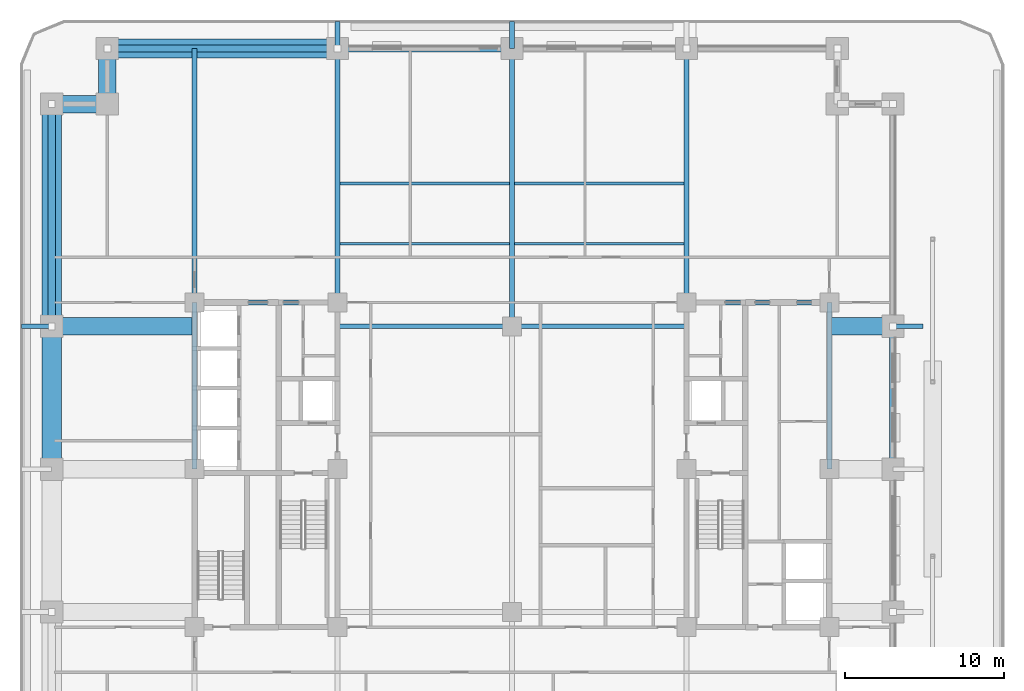
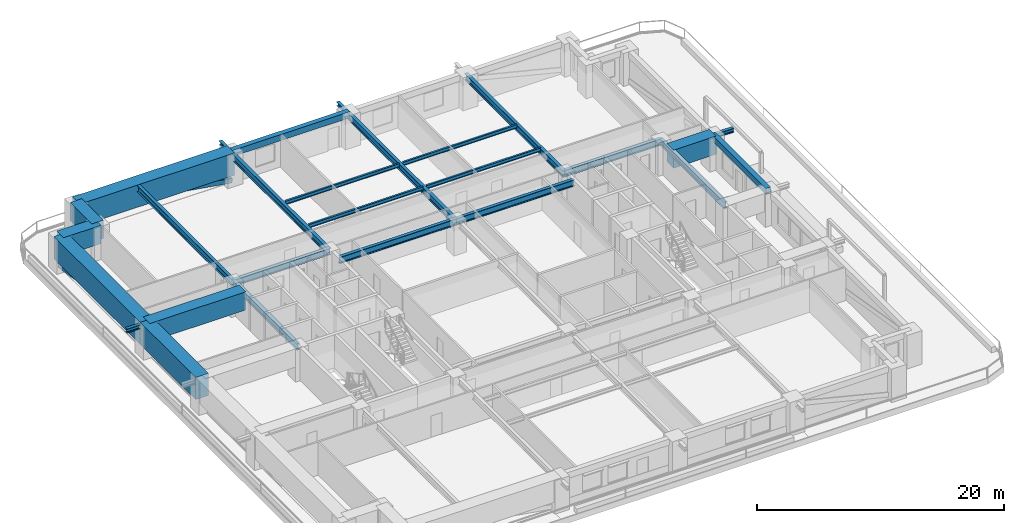
# One storey, part 3 of 18: 27 beams, 2 members.
"""IFC4 building model written with IfcOpenShell, lengths in metres."""

from ifc_helpers import new_model, si_unit, direction, frame, origin, origin_2d, place, context, subcontext, project, spatial, rectangle, hollow_rectangle, i_section, extrude, material, material_profile, profile_set, type_object, element, save


model = new_model("IFC4")

# Units and contexts
model_context = context("Model", 3, precision=1e-05, world=origin(), true_north=direction((0.0, 1.0)))
body_context = subcontext(model_context, "Body", "Model", "MODEL_VIEW")
ifc_project = project(units=[si_unit("LENGTHUNIT", "METRE"), si_unit("AREAUNIT", "SQUARE_METRE"), si_unit("VOLUMEUNIT", "CUBIC_METRE"), si_unit("PLANEANGLEUNIT", "RADIAN"), si_unit("MASSUNIT", "GRAM", prefix="KILO")], contexts=[model_context])

# Site, building, storey
site_placement = place(None, origin())
site = spatial("IfcSite", under=ifc_project, at=site_placement, CompositionType="ELEMENT")
building_placement = place(site_placement, origin())
building = spatial("IfcBuilding", under=site, at=building_placement, Name="Zulmaris Gate Convention Tower", CompositionType="ELEMENT")
storey_placement = place(building_placement, frame((0.0, 0.0, 57.18994140625)))
storey = spatial("IfcBuildingStorey", under=building, at=storey_placement, Name="L13", CompositionType="ELEMENT", Elevation=57.18994140625)

# Beams
ifc_material_1 = material(Name="Steel S355", Category="steel")
ifc_material_profile_1 = material_profile(ifc_material_1, i_section(OverallWidth=0.300048828125, OverallDepth=0.39990234375, WebThickness=0.013427734375, FlangeThickness=0.02392578125, FilletRadius=0.027099609375, at=origin_2d()), Name="HEB 400")
ifc_profile_set_1 = profile_set([ifc_material_profile_1], Name="Steel S355")
beam_type_1 = type_object("IfcBeamType", Name="BM-HEB400", PredefinedType="BEAM", material=ifc_profile_set_1)
for number, where, z_axis, x_axis, name in (
    (1, (-11.0, 26.5, 2.93017578125), (0.0, 1.0, 0.0), (-1.0, 0.0, 0.0), "L13 Beam TBRK-L13-N--11"),
    (2, (0.0, 26.5, 2.93017578125), (0.0, 1.0, 0.0), (-1.0, 0.0, 0.0), "L13 Beam TBRK-L13-N-+0"),
):
    element("IfcBeam", number, at=place(storey_placement, frame(where, z_axis=z_axis, x_axis=x_axis)), inside=storey, type_object=beam_type_1, Name=name, PredefinedType="BEAM", context=body_context, shape_type="SweptSolid", body=[
        extrude(i_section(OverallWidth=0.300048828125, OverallDepth=0.39990234375, WebThickness=0.013427734375, FlangeThickness=0.02392578125, FilletRadius=0.027099609375, at=origin_2d()), origin(), (0.0, 0.0, 1.0), 1.699951171875),
    ])
for number, where, z_axis, x_axis, name in (
    (3, (-30.89990234375, 9.0, 2.93017578125), (1.0, 0.0, 0.0), (0.0, 1.0, 0.0), "L13 Beam TBRK-L13-W-+9"),
    (4, (24.0, 9.0, 2.93017578125), (1.0, 0.0, 0.0), (0.0, 1.0, 0.0), "L13 Beam TBRK-L13-E-+9"),
):
    element("IfcBeam", number, at=place(storey_placement, frame(where, z_axis=z_axis, x_axis=x_axis)), inside=storey, type_object=beam_type_1, Name=name, PredefinedType="BEAM", context=body_context, shape_type="SweptSolid", body=[
        extrude(i_section(OverallWidth=0.300048828125, OverallDepth=0.39990234375, WebThickness=0.013427734375, FlangeThickness=0.02392578125, FilletRadius=0.027099609375, at=origin_2d()), origin(), (0.0, 0.0, 1.0), 1.89990234375),
    ])
ifc_material_profile_2 = material_profile(ifc_material_1, i_section(OverallWidth=0.300048828125, OverallDepth=0.64990234375, WebThickness=0.01611328125, FlangeThickness=0.031005859375, FilletRadius=0.027099609375, at=origin_2d()), Name="HEB 650")
ifc_profile_set_2 = profile_set([ifc_material_profile_2], Name="Steel S355")
beam_type_2 = type_object("IfcBeamType", Name="BM-HEB650", PredefinedType="BEAM", material=ifc_profile_set_2)
for number, where, z_axis, x_axis, name in (
    (5, (-11.0, 9.0, 2.943115234375), (1.0, 0.0, 0.0), (0.0, 1.0, 0.0), "L13 Beam BM-L13-G03"),
    (6, (0.0, 9.0, 2.943115234375), (1.0, 0.0, 0.0), (0.0, 1.0, 0.0), "L13 Beam BM-L13-G04"),
):
    element("IfcBeam", number, at=place(storey_placement, frame(where, z_axis=z_axis, x_axis=x_axis)), inside=storey, type_object=beam_type_2, Name=name, PredefinedType="BEAM", context=body_context, shape_type="SweptSolid", body=[
        extrude(i_section(OverallWidth=0.300048828125, OverallDepth=0.64990234375, WebThickness=0.01611328125, FlangeThickness=0.031005859375, FilletRadius=0.027099609375, at=origin_2d()), origin(), (0.0, 0.0, 1.0), 11.0),
    ])
beam_1_placement = place(storey_placement, frame((0.0, 9.0, 2.818115234375), z_axis=(0.0, 1.0, 0.0), x_axis=(-1.0, 0.0, 0.0)))
element("IfcBeam", 7, at=beam_1_placement, inside=storey, type_object=beam_type_2, Name="L13 Beam BM-L13-G07", PredefinedType="BEAM", context=body_context, shape_type="SweptSolid", body=[
    extrude(i_section(OverallWidth=0.300048828125, OverallDepth=0.64990234375, WebThickness=0.01611328125, FlangeThickness=0.031005859375, FilletRadius=0.027099609375, at=origin_2d()), origin(), (0.0, 0.0, 1.0), 17.5),
])
for number, where, z_axis, x_axis, name in (
    (8, (-11.0, 10.5, 2.818115234375), (0.0, 1.0, 0.0), (-1.0, 0.0, 0.0), "L13 Beam BM-L13-G09"),
    (9, (11.0, 10.5, 2.818115234375), (0.0, 1.0, 0.0), (-1.0, 0.0, 0.0), "L13 Beam BM-L13-G11"),
    (10, (-20.0, 10.5, 2.943115234375), (0.0, 1.0, 0.0), (-1.0, 0.0, 0.0), "L13 Beam BM-L13-G13"),
):
    element("IfcBeam", number, at=place(storey_placement, frame(where, z_axis=z_axis, x_axis=x_axis)), inside=storey, type_object=beam_type_2, Name=name, PredefinedType="BEAM", context=body_context, shape_type="SweptSolid", body=[
        extrude(i_section(OverallWidth=0.300048828125, OverallDepth=0.64990234375, WebThickness=0.01611328125, FlangeThickness=0.031005859375, FilletRadius=0.027099609375, at=origin_2d()), origin(), (0.0, 0.0, 1.0), 16.0),
    ])
for number, where, z_axis, x_axis, name in (
    (11, (-20.0, 10.5, 2.943115234375), (1.0, 0.0, 0.0), (0.0, 1.0, 0.0), "L13 Beam BM-L13-G23"),
    (12, (11.0, 10.5, 2.943115234375), (1.0, 0.0, 0.0), (0.0, 1.0, 0.0), "L13 Beam BM-L13-G25"),
):
    element("IfcBeam", number, at=place(storey_placement, frame(where, z_axis=z_axis, x_axis=x_axis)), inside=storey, type_object=beam_type_2, Name=name, PredefinedType="BEAM", context=body_context, shape_type="SweptSolid", body=[
        extrude(i_section(OverallWidth=0.300048828125, OverallDepth=0.64990234375, WebThickness=0.01611328125, FlangeThickness=0.031005859375, FilletRadius=0.027099609375, at=origin_2d()), origin(), (0.0, 0.0, 1.0), 9.0),
    ])
for number, where, z_axis, x_axis, name in (
    (13, (-20.0, 0.0, 2.943115234375), (0.0, 1.0, 0.0), (-1.0, 0.0, 0.0), "L13 Beam BM-L13-G27"),
    (14, (20.0, 0.0, 2.943115234375), (0.0, 1.0, 0.0), (-1.0, 0.0, 0.0), "L13 Beam BM-L13-G29"),
):
    element("IfcBeam", number, at=place(storey_placement, frame(where, z_axis=z_axis, x_axis=x_axis)), inside=storey, type_object=beam_type_2, Name=name, PredefinedType="BEAM", context=body_context, shape_type="SweptSolid", body=[
        extrude(i_section(OverallWidth=0.300048828125, OverallDepth=0.64990234375, WebThickness=0.01611328125, FlangeThickness=0.031005859375, FilletRadius=0.027099609375, at=origin_2d()), origin(), (0.0, 0.0, 1.0), 10.5),
    ])
ifc_material_2 = material(Name="Precast concrete C50/60", Category="concrete")
ifc_material_profile_3 = material_profile(ifc_material_2, rectangle(XDim=0.449951171875, YDim=0.60009765625, at=origin_2d()), Name="RC SPANDREL 450x600")
ifc_profile_set_3 = profile_set([ifc_material_profile_3], Name="Precast concrete C50/60")
beam_type_3 = type_object("IfcBeamType", Name="BM-SP450x600", PredefinedType="SPANDREL", material=ifc_profile_set_3)
beam_2_placement = place(storey_placement, frame((24.0, 0.0, 2.969970703125), z_axis=(0.0, 1.0, 0.0), x_axis=(-1.0, 0.0, 0.0)))
element("IfcBeam", 15, at=beam_2_placement, inside=storey, type_object=beam_type_3, Name="L13 Spandrel SP-L13-09", PredefinedType="SPANDREL", context=body_context, shape_type="SweptSolid", body=[
    extrude(rectangle(XDim=0.449951171875, YDim=0.60009765625, at=origin_2d()), origin(), (0.0, 0.0, 1.0), 9.0),
])
beam_3_placement = place(storey_placement, frame((0.0, 26.5, 2.969970703125), z_axis=(-1.0, 0.0, 0.0), x_axis=(0.0, -1.0, 0.0)))
element("IfcBeam", 16, at=beam_3_placement, inside=storey, type_object=beam_type_3, Name="L13 Spandrel SP-L13-15", PredefinedType="SPANDREL", context=body_context, shape_type="SweptSolid", body=[
    extrude(rectangle(XDim=0.449951171875, YDim=0.60009765625, at=origin_2d()), origin(), (0.0, 0.0, 1.0), 11.0),
])
ifc_material_3 = material(Name="Concrete C80/95", Category="concrete")
ifc_material_profile_4 = material_profile(ifc_material_3, rectangle(XDim=1.10009765625, YDim=1.800048828125, at=origin_2d()), Name="RC TRANSFER 1100x1800")
ifc_profile_set_4 = profile_set([ifc_material_profile_4], Name="Concrete C80/95")
beam_type_4 = type_object("IfcBeamType", Name="BM-XFER1800", PredefinedType="BEAM", material=ifc_profile_set_4)
for number, where, z_axis, x_axis, name in (
    (17, (-25.5, 26.5, 2.3701171875), (0.0, -1.0, 0.0), (1.0, 0.0, 0.0), "L13 Beam SP-L13-17"),
    (18, (-25.5, 23.0, 2.3701171875), (-1.0, 0.0, 0.0), (0.0, -1.0, 0.0), "L13 Beam SP-L13-18"),
):
    element("IfcBeam", number, at=place(storey_placement, frame(where, z_axis=z_axis, x_axis=x_axis)), inside=storey, type_object=beam_type_4, Name=name, PredefinedType="BEAM", context=body_context, shape_type="SweptSolid", body=[
        extrude(rectangle(XDim=1.10009765625, YDim=1.800048828125, at=origin_2d()), origin(), (0.0, 0.0, 1.0), 3.5),
    ])
beam_4_placement = place(storey_placement, frame((-29.0, 9.0, 2.3701171875), z_axis=(1.0, 0.0, 0.0), x_axis=(0.0, 1.0, 0.0)))
element("IfcBeam", 19, at=beam_4_placement, inside=storey, type_object=beam_type_4, Name="L13 Beam BM-L13-G18", PredefinedType="BEAM", context=body_context, shape_type="SweptSolid", body=[
    extrude(rectangle(XDim=1.10009765625, YDim=1.800048828125, at=origin_2d()), origin(), (0.0, 0.0, 1.0), 9.0),
])
beam_5_placement = place(storey_placement, frame((20.0, 9.0, 2.3701171875), z_axis=(1.0, 0.0, 0.0), x_axis=(0.0, 1.0, 0.0)))
element("IfcBeam", 20, at=beam_5_placement, inside=storey, type_object=beam_type_4, Name="L13 Beam BM-L13-G21", PredefinedType="BEAM", context=body_context, shape_type="SweptSolid", body=[
    extrude(rectangle(XDim=1.10009765625, YDim=1.800048828125, at=origin_2d()), origin(), (0.0, 0.0, 1.0), 4.0),
])
ifc_material_profile_5 = material_profile(ifc_material_3, rectangle(XDim=1.199951171875, YDim=2.199951171875, at=origin_2d()), Name="RC TRANSFER 1200x2200")
ifc_profile_set_5 = profile_set([ifc_material_profile_5], Name="Concrete C80/95")
beam_type_5 = type_object("IfcBeamType", Name="BM-XFER2200", PredefinedType="BEAM", material=ifc_profile_set_5)
beam_6_placement = place(storey_placement, frame((-11.0, 26.5, 2.170166015625), z_axis=(-1.0, 0.0, 0.0), x_axis=(0.0, -1.0, 0.0)))
element("IfcBeam", 21, at=beam_6_placement, inside=storey, type_object=beam_type_5, Name="L13 Beam SP-L13-16", PredefinedType="BEAM", context=body_context, shape_type="SweptSolid", body=[
    extrude(rectangle(XDim=1.199951171875, YDim=2.199951171875, at=origin_2d()), origin(), (0.0, 0.0, 1.0), 14.5),
])
beam_7_placement = place(storey_placement, frame((-29.0, 23.0, 2.170166015625), z_axis=(0.0, -1.0, 0.0), x_axis=(1.0, 0.0, 0.0)))
element("IfcBeam", 22, at=beam_7_placement, inside=storey, type_object=beam_type_5, Name="L13 Beam SP-L13-19", PredefinedType="BEAM", context=body_context, shape_type="SweptSolid", body=[
    extrude(rectangle(XDim=1.199951171875, YDim=2.199951171875, at=origin_2d()), origin(), (0.0, 0.0, 1.0), 14.0),
])
beam_8_placement = place(storey_placement, frame((-29.0, 9.0, 2.170166015625), z_axis=(0.0, -1.0, 0.0), x_axis=(1.0, 0.0, 0.0)))
element("IfcBeam", 23, at=beam_8_placement, inside=storey, type_object=beam_type_5, Name="L13 Beam SP-L13-20", PredefinedType="BEAM", context=body_context, shape_type="SweptSolid", body=[
    extrude(rectangle(XDim=1.199951171875, YDim=2.199951171875, at=origin_2d()), origin(), (0.0, 0.0, 1.0), 9.0),
])

# Members
ifc_material_4 = material(Name="Steel S460", Category="steel")
ifc_material_profile_6 = material_profile(ifc_material_4, hollow_rectangle(XDim=0.449951171875, YDim=0.449951171875, WallThickness=0.02490234375, at=origin_2d()), Name="SHS 450x450x25")
ifc_profile_set_6 = profile_set([ifc_material_profile_6], Name="Steel S460")
member_type = type_object("IfcMemberType", Name="BR-SHS450", PredefinedType="BRACE", material=ifc_profile_set_6)
member_1_placement = place(storey_placement, frame((-29.0, 23.0, 0.300048828125), z_axis=(0.0, -0.986201752628, 0.165547887674), x_axis=(1.0, 0.0, 0.0)))
element("IfcMember", 24, at=member_1_placement, inside=storey, type_object=member_type, Name="L13 Perimeter Tube Diagonal NW-W", PredefinedType="BRACE", context=body_context, shape_type="SweptSolid", body=[
    extrude(hollow_rectangle(XDim=0.449951171875, YDim=0.449951171875, WallThickness=0.02490234375, at=origin_2d()), origin(), (0.0, 0.0, 1.0), 14.19580078125),
])
member_2_placement = place(storey_placement, frame((-11.0, 26.5, 0.300048828125), z_axis=(-0.987118959838, 0.0, 0.159987996825), x_axis=(0.0, -1.0, 0.0)))
element("IfcMember", 25, at=member_2_placement, inside=storey, type_object=member_type, Name="L13 Perimeter Tube Diagonal NW-N", PredefinedType="BRACE", context=body_context, shape_type="SweptSolid", body=[
    extrude(hollow_rectangle(XDim=0.449951171875, YDim=0.449951171875, WallThickness=0.02490234375, at=origin_2d()), origin(), (0.0, 0.0, 1.0), 14.689208984375),
])

# Beams
ifc_material_profile_7 = material_profile(ifc_material_1, i_section(OverallWidth=0.169921875, OverallDepth=0.360107421875, WebThickness=0.008056640625, FlangeThickness=0.0126953125, FilletRadius=0.01806640625, at=origin_2d()), Name="IPE 360")
ifc_profile_set_7 = profile_set([ifc_material_profile_7], Name="Steel S355")
beam_type_6 = type_object("IfcBeamType", Name="JT-IPE360", PredefinedType="JOIST", material=ifc_profile_set_7)
for number, where, z_axis, x_axis, name in (
    (26, (-10.85009765625, 14.199951171875, 3.088134765625), (1.0, 0.0, 0.0), (0.0, 1.0, 0.0), "L13 Joist JT-L13-CW-+14.2"),
    (27, (0.14990234375, 14.199951171875, 3.088134765625), (1.0, 0.0, 0.0), (0.0, 1.0, 0.0), "L13 Joist JT-L13-CE-+14.2"),
    (28, (-10.85009765625, 18.0, 3.088134765625), (1.0, 0.0, 0.0), (0.0, 1.0, 0.0), "L13 Joist JT-L13-CW-+18.0"),
    (29, (0.14990234375, 18.0, 3.088134765625), (1.0, 0.0, 0.0), (0.0, 1.0, 0.0), "L13 Joist JT-L13-CE-+18.0"),
):
    element("IfcBeam", number, at=place(storey_placement, frame(where, z_axis=z_axis, x_axis=x_axis)), inside=storey, type_object=beam_type_6, Name=name, PredefinedType="JOIST", context=body_context, shape_type="SweptSolid", body=[
        extrude(i_section(OverallWidth=0.169921875, OverallDepth=0.360107421875, WebThickness=0.008056640625, FlangeThickness=0.0126953125, FilletRadius=0.01806640625, at=origin_2d()), origin(), (0.0, 0.0, 1.0), 10.7001953125),
    ])

save(model, "model.ifc")
